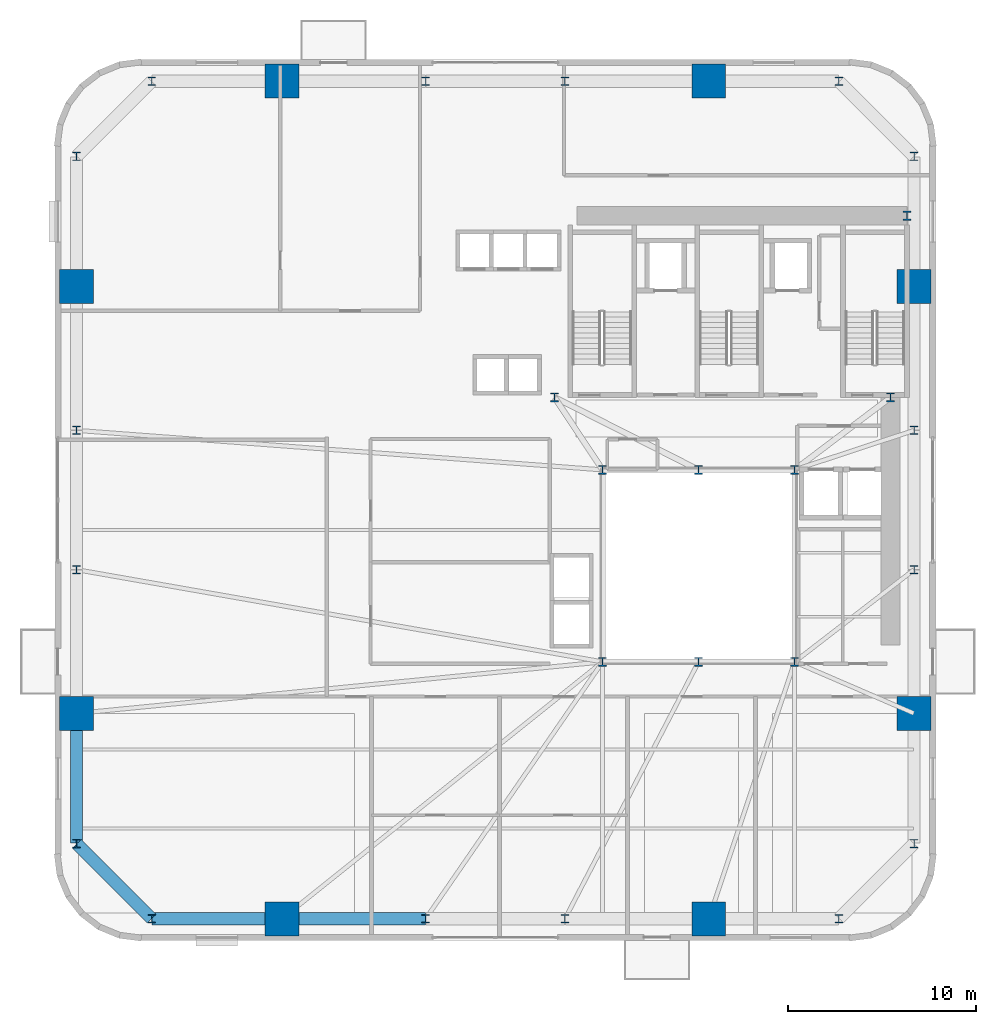
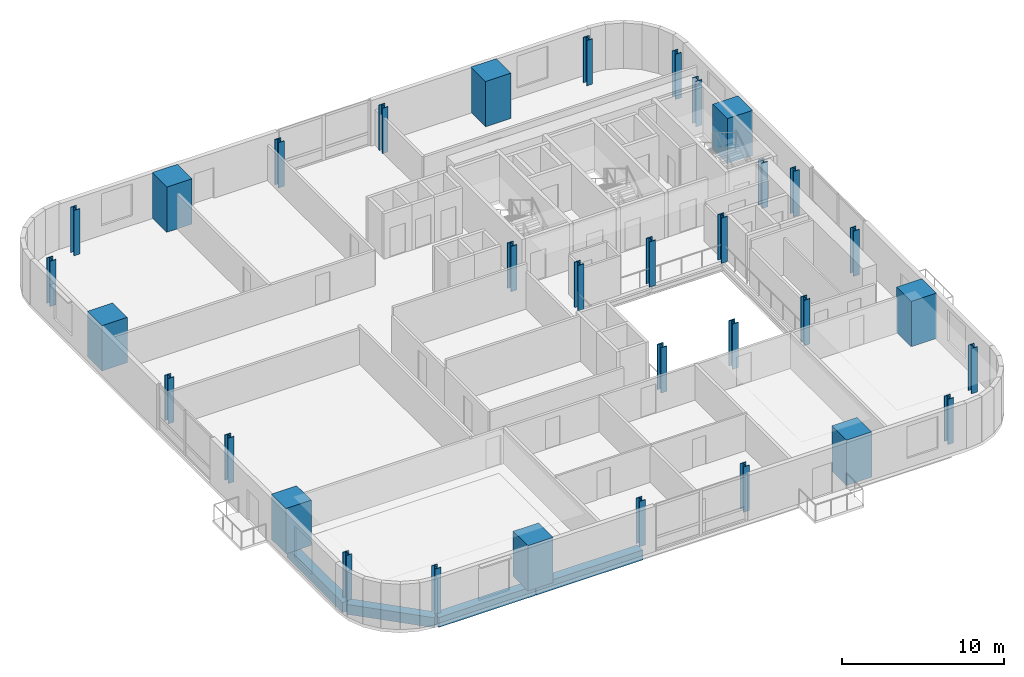
# One storey, part 1 of 13: 33 columns, 4 beams.
"""IFC4 building model written with IfcOpenShell, lengths in metres."""

from ifc_helpers import new_model, si_unit, direction, frame, origin, origin_2d, place, context, subcontext, project, spatial, rectangle, i_section, extrude, source, transform, mapped, material, material_profile, profile_set, type_object, element, save


model = new_model("IFC4")

# Units and contexts
model_context = context("Model", 3, precision=1e-05, world=origin(), true_north=direction((0.0, 1.0)))
body_context = subcontext(model_context, "Body", "Model", "MODEL_VIEW")
ifc_project = project(units=[si_unit("LENGTHUNIT", "METRE"), si_unit("AREAUNIT", "SQUARE_METRE"), si_unit("VOLUMEUNIT", "CUBIC_METRE"), si_unit("PLANEANGLEUNIT", "RADIAN"), si_unit("MASSUNIT", "GRAM", prefix="KILO")], contexts=[model_context])

# Site, building, storey
site_placement = place(None, origin())
site = spatial("IfcSite", under=ifc_project, at=site_placement, CompositionType="ELEMENT")
building_placement = place(site_placement, origin())
building = spatial("IfcBuilding", under=site, at=building_placement, Name="Vardaveli Station Tower", CompositionType="ELEMENT")
storey_placement = place(building_placement, frame((0.0, 0.0, 75.050048828125)))
storey = spatial("IfcBuildingStorey", under=building, at=storey_placement, Name="L19", CompositionType="ELEMENT", Elevation=75.050048828125)

# Columns
ifc_material_1 = material(Name="Structural steel S460M", Category="steel")
ifc_material_profile_1 = material_profile(ifc_material_1, i_section(OverallWidth=0.427978515625, OverallDepth=0.48095703125, WebThickness=0.03955078125, FlangeThickness=0.0634765625, FilletRadius=0.014892578125, at=origin_2d()), Name="HD 400x677")
ifc_profile_set_1 = profile_set([ifc_material_profile_1], Name="Structural steel S460M")
column_type_1 = type_object("IfcColumnType", Name="COL-HD677", PredefinedType="COLUMN", material=ifc_profile_set_1)
shared_shape_1 = source(origin(), body_context, "Body", "SweptSolid", [
    extrude(i_section(OverallWidth=0.427978515625, OverallDepth=0.48095703125, WebThickness=0.03955078125, FlangeThickness=0.0634765625, FilletRadius=0.014892578125, at=origin_2d()), origin(), (0.0, 0.0, 1.0), 3.409912109375),
])
for number, where, z_axis, x_axis, name in (
    (1, (31.199951171875, 16.60009765625, 0.0), (0.0, 0.0, 1.0), (1.0, 0.0, 0.0), "COL-L19-AC1"),
    (2, (36.300048828125, 16.60009765625, 0.0), (0.0, 0.0, 1.0), (1.0, 0.0, 0.0), "COL-L19-AC2"),
    (3, (41.39990234375, 16.60009765625, 0.0), (0.0, 0.0, 1.0), (1.0, 0.0, 0.0), "COL-L19-AC3"),
    (4, (41.39990234375, 26.800048828125, 0.0), (0.0, 0.0, 1.0), (1.0, 0.0, 0.0), "COL-L19-AC4"),
    (5, (36.300048828125, 26.800048828125, 0.0), (0.0, 0.0, 1.0), (1.0, 0.0, 0.0), "COL-L19-AC5"),
    (6, (31.199951171875, 26.800048828125, 0.0), (0.0, 0.0, 1.0), (1.0, 0.0, 0.0), "COL-L19-AC6"),
    (7, (28.64990234375, 30.64990234375, 0.0), (0.0, 0.0, 1.0), (1.0, 0.0, 0.0), "COL-L19-CC1"),
    (8, (46.5, 30.64990234375, 0.0), (0.0, 0.0, 1.0), (1.0, 0.0, 0.0), "COL-L19-CC2"),
    (9, (47.3701171875, 40.300048828125, 0.0), (0.0, 0.0, 1.0), (1.0, 0.0, 0.0), "COL-L19-CC3"),
):
    element("IfcColumn", number, at=place(storey_placement, frame(where, z_axis=z_axis, x_axis=x_axis)), inside=storey, type_object=column_type_1, Name=name, PredefinedType="COLUMN", context=body_context, shape_type="MappedRepresentation", body=[
        mapped(shared_shape_1, transform((0.0, 0.0, 0.0), scale=1.0)),
    ])
ifc_material_2 = material(Name="Concrete C70/85", Category="concrete")
ifc_material_profile_2 = material_profile(ifc_material_2, rectangle(XDim=1.800048828125, YDim=1.800048828125, at=origin_2d()), Name="MC 1800x1800")
ifc_profile_set_2 = profile_set([ifc_material_profile_2], Name="Concrete C70/85")
column_type_2 = type_object("IfcColumnType", Name="COL-MC-1800", PredefinedType="COLUMN", material=ifc_profile_set_2)
shared_shape_2 = source(origin(), body_context, "Body", "SweptSolid", [
    extrude(rectangle(XDim=1.800048828125, YDim=1.800048828125, at=origin_2d()), origin(), (0.0, 0.0, 1.0), 3.409912109375),
])
for number, where, z_axis, x_axis, name in (
    (10, (14.159912109375, 2.949951171875, 0.0), (0.0, 0.0, 1.0), (1.0, 0.0, 0.0), "COL-L19-MC1"),
    (11, (36.840087890625, 2.949951171875, 0.0), (0.0, 0.0, 1.0), (1.0, 0.0, 0.0), "COL-L19-MC2"),
    (12, (47.75, 13.860107421875, 0.0), (0.0, 0.0, 1.0), (1.0, 0.0, 0.0), "COL-L19-MC3"),
    (13, (47.75, 36.5400390625, 0.0), (0.0, 0.0, 1.0), (1.0, 0.0, 0.0), "COL-L19-MC4"),
    (14, (36.840087890625, 47.449951171875, 0.0), (0.0, 0.0, 1.0), (1.0, 0.0, 0.0), "COL-L19-MC5"),
    (15, (14.159912109375, 47.449951171875, 0.0), (0.0, 0.0, 1.0), (1.0, 0.0, 0.0), "COL-L19-MC6"),
    (16, (3.25, 36.5400390625, 0.0), (0.0, 0.0, 1.0), (1.0, 0.0, 0.0), "COL-L19-MC7"),
    (17, (3.25, 13.860107421875, 0.0), (0.0, 0.0, 1.0), (1.0, 0.0, 0.0), "COL-L19-MC8"),
):
    element("IfcColumn", number, at=place(storey_placement, frame(where, z_axis=z_axis, x_axis=x_axis)), inside=storey, type_object=column_type_2, Name=name, PredefinedType="COLUMN", context=body_context, shape_type="MappedRepresentation", body=[
        mapped(shared_shape_2, transform((0.0, 0.0, 0.0), scale=1.0)),
    ])
ifc_material_profile_3 = material_profile(ifc_material_1, i_section(OverallWidth=0.4189453125, OverallDepth=0.448974609375, WebThickness=0.030517578125, FlangeThickness=0.04833984375, FilletRadius=0.014892578125, at=origin_2d()), Name="HD 400x509")
ifc_profile_set_3 = profile_set([ifc_material_profile_3], Name="Structural steel S460M")
column_type_3 = type_object("IfcColumnType", Name="COL-HD509", PredefinedType="COLUMN", material=ifc_profile_set_3)
shared_shape_3 = source(origin(), body_context, "Body", "SweptSolid", [
    extrude(i_section(OverallWidth=0.4189453125, OverallDepth=0.448974609375, WebThickness=0.030517578125, FlangeThickness=0.04833984375, FilletRadius=0.014892578125, at=origin_2d()), origin(), (0.0, 0.0, 1.0), 3.409912109375),
])
for number, where, z_axis, x_axis, name in (
    (18, (7.25, 2.949951171875, 0.0), (0.0, 0.0, 1.0), (1.0, 0.0, 0.0), "COL-L19-PC01"),
    (19, (21.800048828125, 2.949951171875, 0.0), (0.0, 0.0, 1.0), (1.0, 0.0, 0.0), "COL-L19-PC02"),
    (20, (29.199951171875, 2.949951171875, 0.0), (0.0, 0.0, 1.0), (1.0, 0.0, 0.0), "COL-L19-PC03"),
    (21, (43.75, 2.949951171875, 0.0), (0.0, 0.0, 1.0), (1.0, 0.0, 0.0), "COL-L19-PC04"),
    (22, (47.75, 6.949951171875, 0.0), (0.0, 0.0, 1.0), (1.0, 0.0, 0.0), "COL-L19-PC05"),
    (23, (47.75, 21.5, 0.0), (0.0, 0.0, 1.0), (1.0, 0.0, 0.0), "COL-L19-PC06"),
    (24, (47.75, 28.89990234375, 0.0), (0.0, 0.0, 1.0), (1.0, 0.0, 0.0), "COL-L19-PC07"),
    (25, (47.75, 43.449951171875, 0.0), (0.0, 0.0, 1.0), (1.0, 0.0, 0.0), "COL-L19-PC08"),
    (26, (43.75, 47.449951171875, 0.0), (0.0, 0.0, 1.0), (1.0, 0.0, 0.0), "COL-L19-PC09"),
    (27, (29.199951171875, 47.449951171875, 0.0), (0.0, 0.0, 1.0), (1.0, 0.0, 0.0), "COL-L19-PC10"),
    (28, (21.800048828125, 47.449951171875, 0.0), (0.0, 0.0, 1.0), (1.0, 0.0, 0.0), "COL-L19-PC11"),
    (29, (7.25, 47.449951171875, 0.0), (0.0, 0.0, 1.0), (1.0, 0.0, 0.0), "COL-L19-PC12"),
    (30, (3.25, 43.449951171875, 0.0), (0.0, 0.0, 1.0), (1.0, 0.0, 0.0), "COL-L19-PC13"),
    (31, (3.25, 28.89990234375, 0.0), (0.0, 0.0, 1.0), (1.0, 0.0, 0.0), "COL-L19-PC14"),
    (32, (3.25, 21.5, 0.0), (0.0, 0.0, 1.0), (1.0, 0.0, 0.0), "COL-L19-PC15"),
    (33, (3.25, 6.949951171875, 0.0), (0.0, 0.0, 1.0), (1.0, 0.0, 0.0), "COL-L19-PC16"),
):
    element("IfcColumn", number, at=place(storey_placement, frame(where, z_axis=z_axis, x_axis=x_axis)), inside=storey, type_object=column_type_3, Name=name, PredefinedType="COLUMN", context=body_context, shape_type="MappedRepresentation", body=[
        mapped(shared_shape_3, transform((0.0, 0.0, 0.0), scale=1.0)),
    ])

# Beams
ifc_material_3 = material(Name="Precast concrete C45/55", Category="concrete")
ifc_material_profile_4 = material_profile(ifc_material_3, rectangle(XDim=0.64990234375, YDim=0.75, at=origin_2d()), Name="LPB 650x750")
ifc_profile_set_4 = profile_set([ifc_material_profile_4], Name="Precast concrete C45/55")
beam_type = type_object("IfcBeamType", Name="BM-LPB-750", PredefinedType="BEAM", material=ifc_profile_set_4)
shared_shape_4 = source(origin(), body_context, "Body", "SweptSolid", [
    extrude(rectangle(XDim=0.64990234375, YDim=0.75, at=origin_2d()), origin(), (0.0, 0.0, 1.0), 7.60009765625),
])
beam_1_placement = place(storey_placement, frame((14.179931640625, 2.949951171875, -0.614990234375), z_axis=(1.0, 0.0, 0.0), x_axis=(0.0, 1.0, 0.0)))
element("IfcBeam", 34, at=beam_1_placement, inside=storey, type_object=beam_type, Name="RBM-L19-01", PredefinedType="BEAM", context=body_context, shape_type="MappedRepresentation", body=[
    mapped(shared_shape_4, transform((0.0, 0.0, 0.0), scale=1.0)),
])
shared_shape_5 = source(origin(), body_context, "Body", "SweptSolid", [
    extrude(rectangle(XDim=0.64990234375, YDim=0.75, at=origin_2d()), origin(), (0.0, 0.0, 1.0), 6.869873046875),
])
beam_2_placement = place(storey_placement, frame((7.27001953125, 2.949951171875, -0.614990234375), z_axis=(1.0, 0.0, 0.0), x_axis=(0.0, 1.0, 0.0)))
element("IfcBeam", 35, at=beam_2_placement, inside=storey, type_object=beam_type, Name="RBM-L19-24", PredefinedType="BEAM", context=body_context, shape_type="MappedRepresentation", body=[
    mapped(shared_shape_5, transform((0.0, 0.0, 0.0), scale=1.0)),
])
shared_shape_6 = source(origin(), body_context, "Body", "SweptSolid", [
    extrude(rectangle(XDim=0.64990234375, YDim=0.75, at=origin_2d()), origin(), (0.0, 0.0, 1.0), 5.61669921875),
])
beam_3_placement = place(storey_placement, frame((3.26416015625, 6.935791015625, -0.614990234375), z_axis=(0.707106781187, -0.707106781187, 0.0), x_axis=(0.707106781187, 0.707106781187, 0.0)))
element("IfcBeam", 36, at=beam_3_placement, inside=storey, type_object=beam_type, Name="RBM-L19-23", PredefinedType="BEAM", context=body_context, shape_type="MappedRepresentation", body=[
    mapped(shared_shape_6, transform((0.0, 0.0, 0.0), scale=1.0)),
])
shared_shape_7 = source(origin(), body_context, "Body", "SweptSolid", [
    extrude(rectangle(XDim=0.64990234375, YDim=0.75, at=origin_2d()), origin(), (0.0, 0.0, 1.0), 6.8701171875),
])
beam_4_placement = place(storey_placement, frame((3.25, 13.840087890625, -0.614990234375), z_axis=(0.0, -1.0, 0.0), x_axis=(1.0, 0.0, 0.0)))
element("IfcBeam", 37, at=beam_4_placement, inside=storey, type_object=beam_type, Name="RBM-L19-22", PredefinedType="BEAM", context=body_context, shape_type="MappedRepresentation", body=[
    mapped(shared_shape_7, transform((0.0, 0.0, 0.0), scale=1.0)),
])

save(model, "model.ifc")
